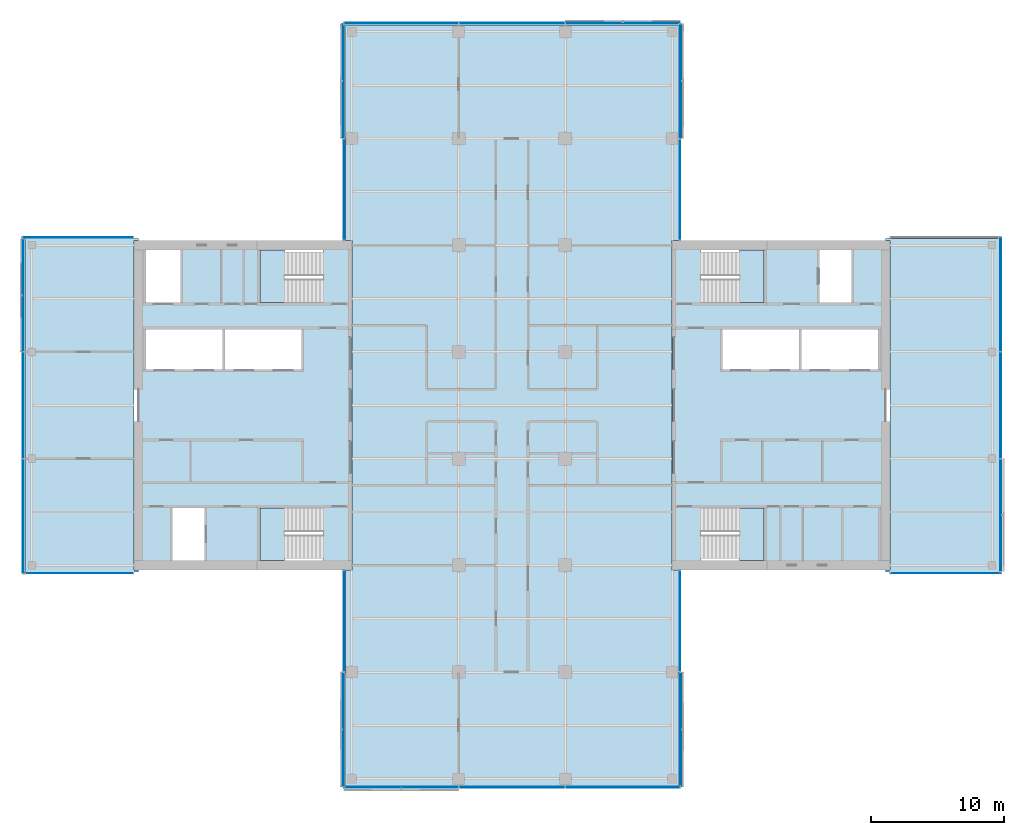
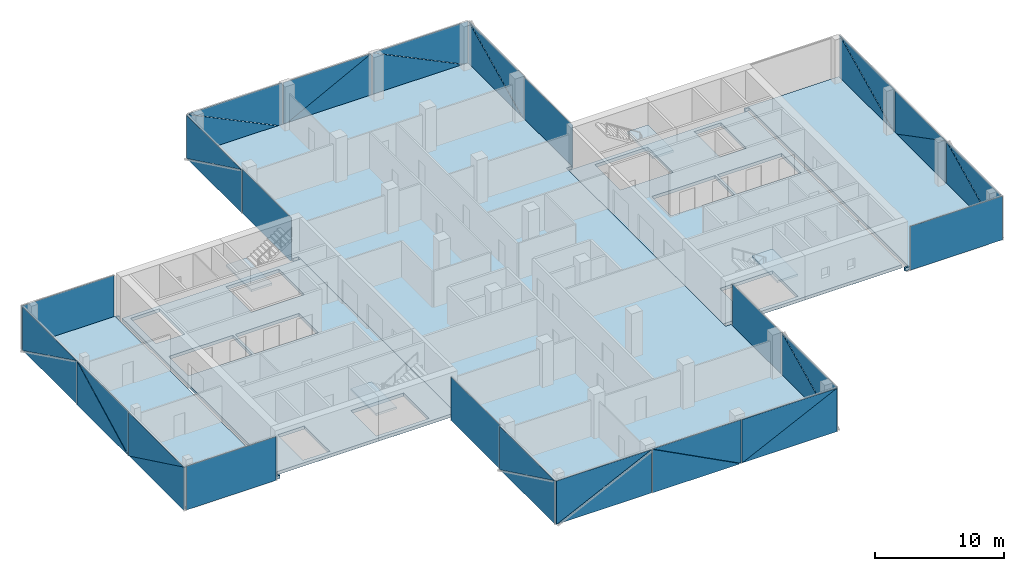
# One storey, part 12 of 22: 39 plates, 9 slabs, 19 elements without a shape of their own.
"""IFC4 building model written with IfcOpenShell, lengths in metres."""

from ifc_helpers import new_model, si_unit, direction, frame, origin, place, context, subcontext, project, spatial, polyline, outline, extrude, material, layer, layer_set, type_object, element, aggregate, save


model = new_model("IFC4")

# Units and contexts
model_context = context("Model", 3, precision=1e-05, world=origin(), true_north=direction((0.0, 1.0)))
body_context = subcontext(model_context, "Body", "Model", "MODEL_VIEW")
ifc_project = project(units=[si_unit("LENGTHUNIT", "METRE"), si_unit("AREAUNIT", "SQUARE_METRE"), si_unit("VOLUMEUNIT", "CUBIC_METRE"), si_unit("PLANEANGLEUNIT", "RADIAN"), si_unit("MASSUNIT", "GRAM", prefix="KILO")], contexts=[model_context])

# Site, building, storey
site_placement = place(None, origin())
site = spatial("IfcSite", under=ifc_project, at=site_placement, CompositionType="ELEMENT")
building_placement = place(site_placement, origin())
building = spatial("IfcBuilding", under=site, at=building_placement, Name="Crosswind Convention Tower", CompositionType="ELEMENT")
storey_placement = place(building_placement, frame((0.0, 0.0, 163.10009765625)))
storey = spatial("IfcBuildingStorey", under=building, at=storey_placement, Name="L34", CompositionType="ELEMENT", Elevation=163.10009765625)

# Slabs
ifc_material_1 = material(Name="Concrete C40/50", Category="concrete")
ifc_layer_1 = layer(ifc_material_1, 0.300048828125)
ifc_layer_set_1 = layer_set([ifc_layer_1], Name="Concrete C40/50")
slab_type_1 = type_object("IfcSlabType", Name="Composite floor slab 300", PredefinedType="FLOOR", material=ifc_layer_set_1)
slab_1_placement = place(storey_placement, frame((0.0, 0.0, -0.300048828125)))
element("IfcSlab", 1, at=slab_1_placement, inside=storey, type_object=slab_type_1, Name="Floor slab L34 part 1", PredefinedType="FLOOR", context=body_context, shape_type="SweptSolid", body=[
    extrude(outline(polyline([(97.0, 87.5), (89.0, 87.5), (88.5, 87.5), (88.5, 88.0), (88.5, 112.0), (88.5, 112.5), (89.0, 112.5), (97.0, 112.5), (97.0, 112.35009765625), (96.64990234375, 112.35009765625), (96.64990234375, 87.64990234375), (97.0, 87.64990234375), (97.0, 87.5)])), origin(), (0.0, 0.0, 1.0), 0.300048828125),
])
slab_2_placement = place(storey_placement, frame((0.0, 0.0, -0.300048828125)))
element("IfcSlab", 2, at=slab_2_placement, inside=storey, type_object=slab_type_1, Name="Floor slab L34 part 2", PredefinedType="FLOOR", context=body_context, shape_type="SweptSolid", body=[
    extrude(outline(polyline([(112.5, 87.64990234375), (113.0, 87.64990234375), (113.0, 112.35009765625), (112.5, 112.35009765625), (112.5, 128.0), (112.5, 128.5), (113.0, 128.5), (137.0, 128.5), (137.5, 128.5), (137.5, 128.0), (137.5, 112.35009765625), (137.0, 112.35009765625), (137.0, 87.64990234375), (137.5, 87.64990234375), (137.5, 72.0), (137.5, 71.5), (137.0, 71.5), (113.0, 71.5), (112.5, 71.5), (112.5, 72.0), (112.5, 87.64990234375)])), origin(), (0.0, 0.0, 1.0), 0.300048828125),
])
slab_3_placement = place(storey_placement, frame((0.0, 0.0, -0.300048828125)))
element("IfcSlab", 3, at=slab_3_placement, inside=storey, type_object=slab_type_1, Name="Floor slab L34 part 3", PredefinedType="FLOOR", context=body_context, shape_type="SweptSolid", body=[
    extrude(outline(polyline([(153.0, 112.5), (161.0, 112.5), (161.5, 112.5), (161.5, 112.0), (161.5, 88.0), (161.5, 87.5), (161.0, 87.5), (153.0, 87.5), (153.0, 87.64990234375), (153.35009765625, 87.64990234375), (153.35009765625, 112.35009765625), (153.0, 112.35009765625), (153.0, 112.5)])), origin(), (0.0, 0.0, 1.0), 0.300048828125),
])
ifc_layer_2 = layer(ifc_material_1, 0.300048828125)
ifc_layer_set_2 = layer_set([ifc_layer_2], Name="Concrete C40/50")
slab_type_2 = type_object("IfcSlabType", Name="Concrete core floor slab 300", PredefinedType="FLOOR", material=ifc_layer_set_2)
slab_4_placement = place(storey_placement, frame((0.0, 0.0, -0.300048828125)))
element("IfcSlab", 4, at=slab_4_placement, inside=storey, type_object=slab_type_2, Name="Core floor slab E L34", PredefinedType="FLOOR", context=body_context, shape_type="SweptSolid", body=[
    extrude(outline(polyline([(137.0, 88.0), (153.0, 88.0), (153.0, 112.0), (137.0, 112.0), (137.0, 88.0)]), holes=[polyline([(146.5, 102.699951171875), (146.5, 105.699951171875), (140.800048828125, 105.699951171875), (140.800048828125, 102.699951171875), (146.5, 102.699951171875)]), polyline([(152.449951171875, 102.699951171875), (152.449951171875, 105.699951171875), (146.699951171875, 105.699951171875), (146.699951171875, 102.699951171875), (152.449951171875, 102.699951171875)]), polyline([(150.449951171875, 107.699951171875), (150.449951171875, 111.64990234375), (148.050048828125, 111.64990234375), (148.050048828125, 107.699951171875), (150.449951171875, 107.699951171875)]), polyline([(143.89990234375, 107.699951171875), (143.89990234375, 111.64990234375), (139.14990234375, 111.64990234375), (139.14990234375, 107.699951171875), (143.89990234375, 107.699951171875)]), polyline([(143.89990234375, 88.35009765625), (143.89990234375, 92.300048828125), (139.14990234375, 92.300048828125), (139.14990234375, 88.35009765625), (143.89990234375, 88.35009765625)])]), origin(), (0.0, 0.0, 1.0), 0.300048828125),
])
slab_5_placement = place(storey_placement, frame((0.0, 0.0, -0.300048828125)))
element("IfcSlab", 5, at=slab_5_placement, inside=storey, type_object=slab_type_2, Name="Core floor slab W L34", PredefinedType="FLOOR", context=body_context, shape_type="SweptSolid", body=[
    extrude(outline(polyline([(97.0, 88.0), (113.0, 88.0), (113.0, 112.0), (97.0, 112.0), (97.0, 88.0)]), holes=[polyline([(109.199951171875, 102.699951171875), (109.199951171875, 105.699951171875), (103.5, 105.699951171875), (103.5, 102.699951171875), (109.199951171875, 102.699951171875)]), polyline([(103.300048828125, 102.699951171875), (103.300048828125, 105.699951171875), (97.550048828125, 105.699951171875), (97.550048828125, 102.699951171875), (103.300048828125, 102.699951171875)]), polyline([(101.949951171875, 88.35009765625), (101.949951171875, 92.300048828125), (99.550048828125, 92.300048828125), (99.550048828125, 88.35009765625), (101.949951171875, 88.35009765625)]), polyline([(100.14990234375, 107.699951171875), (100.14990234375, 111.64990234375), (97.550048828125, 111.64990234375), (97.550048828125, 107.699951171875), (100.14990234375, 107.699951171875)]), polyline([(110.85009765625, 88.35009765625), (110.85009765625, 92.300048828125), (106.10009765625, 92.300048828125), (106.10009765625, 88.35009765625), (110.85009765625, 88.35009765625)]), polyline([(110.85009765625, 107.699951171875), (110.85009765625, 111.64990234375), (106.10009765625, 111.64990234375), (106.10009765625, 107.699951171875), (110.85009765625, 107.699951171875)])]), origin(), (0.0, 0.0, 1.0), 0.300048828125),
])

# Stair, slab
stair_type = type_object("IfcStairType", Name="Exit stair 1800 wide, 2 flights of 11 risers", PredefinedType="HALF_TURN_STAIR", material=ifc_material_1)
stair_1_placement = place(storey_placement, origin())
stair_1 = element("IfcStair", 6, at=stair_1_placement, inside=storey, type_object=stair_type, Name="Exit stair ST1 L34", ObjectType="ST5", PredefinedType="HALF_TURN_STAIR")
ifc_layer_3 = layer(ifc_material_1, 0.199951171875)
ifc_layer_set_3 = layer_set([ifc_layer_3], Name="Concrete C40/50")
slab_type_3 = type_object("IfcSlabType", Name="Stair landing 200", PredefinedType="LANDING", material=ifc_layer_set_3)
slab_6_placement = place(storey_placement, frame((0.0, 0.0, 1.89990234375)))
slab_6 = element("IfcSlab", 7, at=slab_6_placement, type_object=slab_type_3, Name="ST1 landing 1", PredefinedType="LANDING", context=body_context, shape_type="SweptSolid", body=[
    extrude(outline(polyline([(143.89990234375, 107.699951171875), (143.89990234375, 111.64990234375), (142.050048828125, 111.64990234375), (142.050048828125, 107.699951171875), (143.89990234375, 107.699951171875)])), origin(), (0.0, 0.0, 1.0), 0.199951171875),
])
aggregate(stair_1, [slab_6])

stair_2_placement = place(storey_placement, origin())
stair_2 = element("IfcStair", 8, at=stair_2_placement, inside=storey, type_object=stair_type, Name="Exit stair ST2 L34", ObjectType="ST5", PredefinedType="HALF_TURN_STAIR")
slab_7_placement = place(storey_placement, frame((0.0, 0.0, 1.89990234375)))
slab_7 = element("IfcSlab", 9, at=slab_7_placement, type_object=slab_type_3, Name="ST2 landing 1", PredefinedType="LANDING", context=body_context, shape_type="SweptSolid", body=[
    extrude(outline(polyline([(143.89990234375, 88.35009765625), (143.89990234375, 92.300048828125), (142.050048828125, 92.300048828125), (142.050048828125, 88.35009765625), (143.89990234375, 88.35009765625)])), origin(), (0.0, 0.0, 1.0), 0.199951171875),
])
aggregate(stair_2, [slab_7])

stair_3_placement = place(storey_placement, origin())
stair_3 = element("IfcStair", 10, at=stair_3_placement, inside=storey, type_object=stair_type, Name="Exit stair ST3 L34", ObjectType="ST5", PredefinedType="HALF_TURN_STAIR")
slab_8_placement = place(storey_placement, frame((0.0, 0.0, 1.89990234375)))
slab_8 = element("IfcSlab", 11, at=slab_8_placement, type_object=slab_type_3, Name="ST3 landing 1", PredefinedType="LANDING", context=body_context, shape_type="SweptSolid", body=[
    extrude(outline(polyline([(107.949951171875, 88.35009765625), (107.949951171875, 92.300048828125), (106.10009765625, 92.300048828125), (106.10009765625, 88.35009765625), (107.949951171875, 88.35009765625)])), origin(), (0.0, 0.0, 1.0), 0.199951171875),
])
aggregate(stair_3, [slab_8])

stair_4_placement = place(storey_placement, origin())
stair_4 = element("IfcStair", 12, at=stair_4_placement, inside=storey, type_object=stair_type, Name="Exit stair ST4 L34", ObjectType="ST5", PredefinedType="HALF_TURN_STAIR")
slab_9_placement = place(storey_placement, frame((0.0, 0.0, 1.89990234375)))
slab_9 = element("IfcSlab", 13, at=slab_9_placement, type_object=slab_type_3, Name="ST4 landing 1", PredefinedType="LANDING", context=body_context, shape_type="SweptSolid", body=[
    extrude(outline(polyline([(107.949951171875, 107.699951171875), (107.949951171875, 111.64990234375), (106.10009765625, 111.64990234375), (106.10009765625, 107.699951171875), (107.949951171875, 107.699951171875)])), origin(), (0.0, 0.0, 1.0), 0.199951171875),
])
aggregate(stair_4, [slab_9])

# Curtain wall, plate
ifc_material_2 = material(Name="Aluminium unitised curtain wall", Category="aluminium")
curtain_wall_type_1 = type_object("IfcCurtainWallType", Name="CORE END SLOT WALL 160", PredefinedType="USERDEFINED", material=ifc_material_2)
curtain_wall_1_placement = place(storey_placement, origin())
curtain_wall_1 = element("IfcCurtainWall", 14, at=curtain_wall_1_placement, inside=storey, type_object=curtain_wall_type_1, Name="CW6 L34 N-E.1-1 slot", ObjectType="UNITISED", PredefinedType="USERDEFINED")
ifc_material_3 = material(Name="Laminated insulating glass unit", Category="glass")
ifc_layer_4 = layer(ifc_material_3, 0.02587890625)
ifc_layer_set_4 = layer_set([ifc_layer_4], Name="TRIANGULAR GLASS PANEL 26")
plate_type_1 = type_object("IfcPlateType", Name="TRIANGULAR GLASS PANEL 26", PredefinedType="CURTAIN_PANEL", material=ifc_layer_set_4)
plate_1_placement = place(storey_placement, frame((137.60693359375, 112.39990234375, -0.300048828125), z_axis=(0.999999915205, 0.0, 0.00041181312), x_axis=(0.0, 1.0, 0.0)))
plate_1 = element("IfcPlate", 15, at=plate_1_placement, type_object=plate_type_1, Name="CW6 panel 1.1", PredefinedType="CURTAIN_PANEL", context=body_context, shape_type="SweptSolid", body=[
    extrude(outline(polyline([(0.0, 0.0), (7.550048828125, 0.0), (7.550048828125, 4.149902695641108), (0.0, 4.149902695641108), (0.0, 0.0)])), origin(), (0.0, 0.0, -1.0), 0.02587890625),
])
aggregate(curtain_wall_1, [plate_1])

curtain_wall_2_placement = place(storey_placement, origin())
curtain_wall_2 = element("IfcCurtainWall", 16, at=curtain_wall_2_placement, inside=storey, type_object=curtain_wall_type_1, Name="CW6 L34 N-W.1-2 slot", ObjectType="UNITISED", PredefinedType="USERDEFINED")
plate_2_placement = place(storey_placement, frame((112.39306640625, 119.949951171875, -0.300048828125), z_axis=(-0.999999915205, 0.0, 0.00041181312), x_axis=(0.0, -1.0, 0.0)))
plate_2 = element("IfcPlate", 17, at=plate_2_placement, type_object=plate_type_1, Name="CW6 panel 1.1", PredefinedType="CURTAIN_PANEL", context=body_context, shape_type="SweptSolid", body=[
    extrude(outline(polyline([(0.0, 0.0), (7.550048828125, 0.0), (7.550048828125, 4.149902695641108), (0.0, 4.149902695641108), (0.0, 0.0)])), origin(), (0.0, 0.0, -1.0), 0.02587890625),
])
aggregate(curtain_wall_2, [plate_2])

curtain_wall_3_placement = place(storey_placement, origin())
curtain_wall_3 = element("IfcCurtainWall", 18, at=curtain_wall_3_placement, inside=storey, type_object=curtain_wall_type_1, Name="CW6 L34 W-N.2-1 slot", ObjectType="UNITISED", PredefinedType="USERDEFINED")
plate_3_placement = place(storey_placement, frame((96.60009765625, 112.60693359375, -0.300048828125), z_axis=(0.0, 0.999999915205, 0.00041181312), x_axis=(-1.0, 0.0, 0.0)))
plate_3 = element("IfcPlate", 19, at=plate_3_placement, type_object=plate_type_1, Name="CW6 panel 1.1", PredefinedType="CURTAIN_PANEL", context=body_context, shape_type="SweptSolid", body=[
    extrude(outline(polyline([(0.0, 0.0), (8.27001953125, 0.0), (8.27001953125, 4.149902695641109), (0.0, 4.149902695641109), (0.0, 0.0)])), origin(), (0.0, 0.0, -1.0), 0.02587890625),
])
aggregate(curtain_wall_3, [plate_3])

curtain_wall_4_placement = place(storey_placement, origin())
curtain_wall_4 = element("IfcCurtainWall", 20, at=curtain_wall_4_placement, inside=storey, type_object=curtain_wall_type_1, Name="CW6 L34 W-S.1-1 slot", ObjectType="UNITISED", PredefinedType="USERDEFINED")
plate_4_placement = place(storey_placement, frame((88.550048828125, 87.39306640625, -0.300048828125), z_axis=(0.0, -0.999999915205, 0.00041181312), x_axis=(1.0, 0.0, 0.0)))
plate_4 = element("IfcPlate", 21, at=plate_4_placement, type_object=plate_type_1, Name="CW6 panel 1.1", PredefinedType="CURTAIN_PANEL", context=body_context, shape_type="SweptSolid", body=[
    extrude(outline(polyline([(0.0, 0.0), (8.050048828125, 0.0), (8.050048828125, 4.149902695641108), (0.0, 4.149902695641108), (0.0, 0.0)])), origin(), (0.0, 0.0, -1.0), 0.02587890625),
])
aggregate(curtain_wall_4, [plate_4])

curtain_wall_5_placement = place(storey_placement, origin())
curtain_wall_5 = element("IfcCurtainWall", 22, at=curtain_wall_5_placement, inside=storey, type_object=curtain_wall_type_1, Name="CW6 L34 S-W.1-1 slot", ObjectType="UNITISED", PredefinedType="USERDEFINED")
plate_5_placement = place(storey_placement, frame((112.39306640625, 87.60009765625, -0.300048828125), z_axis=(-0.999999915205, 0.0, 0.00041181312), x_axis=(0.0, -1.0, 0.0)))
plate_5 = element("IfcPlate", 23, at=plate_5_placement, type_object=plate_type_1, Name="CW6 panel 1.1", PredefinedType="CURTAIN_PANEL", context=body_context, shape_type="SweptSolid", body=[
    extrude(outline(polyline([(0.0, 0.0), (7.550048828125, 0.0), (7.550048828125, 4.149902695641108), (0.0, 4.149902695641108), (0.0, 0.0)])), origin(), (0.0, 0.0, -1.0), 0.02587890625),
])
aggregate(curtain_wall_5, [plate_5])

curtain_wall_6_placement = place(storey_placement, origin())
curtain_wall_6 = element("IfcCurtainWall", 24, at=curtain_wall_6_placement, inside=storey, type_object=curtain_wall_type_1, Name="CW6 L34 S-E.1-2 slot", ObjectType="UNITISED", PredefinedType="USERDEFINED")
plate_6_placement = place(storey_placement, frame((137.60693359375, 80.050048828125, -0.300048828125), z_axis=(0.999999915205, 0.0, 0.00041181312), x_axis=(0.0, 1.0, 0.0)))
plate_6 = element("IfcPlate", 25, at=plate_6_placement, type_object=plate_type_1, Name="CW6 panel 1.1", PredefinedType="CURTAIN_PANEL", context=body_context, shape_type="SweptSolid", body=[
    extrude(outline(polyline([(0.0, 0.0), (7.550048828125, 0.0), (7.550048828125, 4.149902695641108), (0.0, 4.149902695641108), (0.0, 0.0)])), origin(), (0.0, 0.0, -1.0), 0.02587890625),
])
aggregate(curtain_wall_6, [plate_6])

curtain_wall_7_placement = place(storey_placement, origin())
curtain_wall_7 = element("IfcCurtainWall", 26, at=curtain_wall_7_placement, inside=storey, type_object=curtain_wall_type_1, Name="CW6 L34 E-S.2-1 slot", ObjectType="UNITISED", PredefinedType="USERDEFINED")
plate_7_placement = place(storey_placement, frame((153.39990234375, 87.39306640625, -0.300048828125), z_axis=(0.0, -0.999999915205, 0.00041181312), x_axis=(1.0, 0.0, 0.0)))
plate_7 = element("IfcPlate", 27, at=plate_7_placement, type_object=plate_type_1, Name="CW6 panel 1.1", PredefinedType="CURTAIN_PANEL", context=body_context, shape_type="SweptSolid", body=[
    extrude(outline(polyline([(0.0, 0.0), (8.27001953125, 0.0), (8.27001953125, 4.149902695641109), (0.0, 4.149902695641109), (0.0, 0.0)])), origin(), (0.0, 0.0, -1.0), 0.02587890625),
])
aggregate(curtain_wall_7, [plate_7])

# Curtain wall, plates
curtain_wall_type_2 = type_object("IfcCurtainWallType", Name="OFFICE UNITISED WALL 220", PredefinedType="USERDEFINED", material=ifc_material_2)
curtain_wall_8_placement = place(storey_placement, origin())
curtain_wall_8 = element("IfcCurtainWall", 28, at=curtain_wall_8_placement, inside=storey, type_object=curtain_wall_type_2, Name="CW3 L34 E-TIP 1", ObjectType="UNITISED", PredefinedType="USERDEFINED")
ifc_layer_5 = layer(ifc_material_3, 0.031982421875)
ifc_layer_set_5 = layer_set([ifc_layer_5], Name="TRIANGULAR GLASS PANEL 32")
plate_type_2 = type_object("IfcPlateType", Name="TRIANGULAR GLASS PANEL 32", PredefinedType="CURTAIN_PANEL", material=ifc_layer_set_5)
plate_8_placement = place(storey_placement, frame((161.642822265625, 95.965087890625, -0.300048828125), z_axis=(0.999999913924, 0.0, 0.000414913129), x_axis=(-0.000414913129, 0.0, 0.999999913924)))
plate_8 = element("IfcPlate", 29, at=plate_8_placement, type_object=plate_type_2, Name="CW3 panel 1.1", PredefinedType="CURTAIN_PANEL", context=body_context, shape_type="SweptSolid", body=[
    extrude(outline(polyline([(0.0, 0.0), (4.118896838915043, 0.0), (0.0, 8.372314453125), (0.0, 0.0)])), origin(), (0.0, 0.0, -1.0), 0.031982421875),
])
plate_9_placement = place(storey_placement, frame((161.67529296875, 87.570068359375, 3.829833984375), z_axis=(0.99999993676, 0.0, 0.000355639833), x_axis=(0.000355639833, 0.0, -0.99999993676)))
plate_9 = element("IfcPlate", 30, at=plate_9_placement, type_object=plate_type_2, Name="CW3 panel 1.2", PredefinedType="CURTAIN_PANEL", context=body_context, shape_type="SweptSolid", body=[
    extrude(outline(polyline([(0.0, 0.0), (4.1188967448534015, 0.0), (0.0, 8.372314453125), (0.0, 0.0)])), origin(), (0.0, 0.0, -1.0), 0.031982421875),
])
plate_10_placement = place(storey_placement, frame((161.64111328125, 103.965087890625, 3.829833984375), z_axis=(0.999999913913, 0.0, 0.000414937724), x_axis=(0.0, -1.0, 0.0)))
plate_10 = element("IfcPlate", 31, at=plate_10_placement, type_object=plate_type_2, Name="CW3 panel 2.1", PredefinedType="CURTAIN_PANEL", context=body_context, shape_type="SweptSolid", body=[
    extrude(outline(polyline([(0.0, 0.0), (7.908447265625, 0.0), (0.0, 4.118652698311059), (0.0, 0.0)])), origin(), (0.0, 0.0, -1.0), 0.031982421875),
])
plate_11_placement = place(storey_placement, frame((161.6767578125, 96.034912109375, -0.300048828125), z_axis=(0.999999936753, 0.0, 0.000355660914), x_axis=(0.0, 1.0, 0.0)))
plate_11 = element("IfcPlate", 32, at=plate_11_placement, type_object=plate_type_2, Name="CW3 panel 2.2", PredefinedType="CURTAIN_PANEL", context=body_context, shape_type="SweptSolid", body=[
    extrude(outline(polyline([(0.0, 0.0), (7.908447265625, 0.0), (0.0, 4.118652604243842), (0.0, 0.0)])), origin(), (0.0, 0.0, -1.0), 0.031982421875),
])
plate_12_placement = place(storey_placement, frame((161.642822265625, 112.590087890625, -0.300048828125), z_axis=(0.999999913924, 0.0, 0.000414913129), x_axis=(-0.000414913129, 0.0, 0.999999913924)))
plate_12 = element("IfcPlate", 33, at=plate_12_placement, type_object=plate_type_2, Name="CW3 panel 3.1", PredefinedType="CURTAIN_PANEL", context=body_context, shape_type="SweptSolid", body=[
    extrude(outline(polyline([(0.0, 0.0), (4.118896838915043, 0.0), (0.0, 8.531982421874998), (0.0, 0.0)])), origin(), (0.0, 0.0, -1.0), 0.031982421875),
])
plate_13_placement = place(storey_placement, frame((161.67529296875, 104.034912109375, 3.829833984375), z_axis=(0.99999993676, 0.0, 0.000355639833), x_axis=(0.000355639833, 0.0, -0.99999993676)))
plate_13 = element("IfcPlate", 34, at=plate_13_placement, type_object=plate_type_2, Name="CW3 panel 3.2", PredefinedType="CURTAIN_PANEL", context=body_context, shape_type="SweptSolid", body=[
    extrude(outline(polyline([(0.0, 0.0), (4.1188967448534015, 0.0), (0.0, 8.531982421875), (0.0, 0.0)])), origin(), (0.0, 0.0, -1.0), 0.031982421875),
])
aggregate(curtain_wall_8, [plate_8, plate_9, plate_10, plate_11, plate_12, plate_13])

curtain_wall_9_placement = place(storey_placement, origin())
curtain_wall_9 = element("IfcCurtainWall", 35, at=curtain_wall_9_placement, inside=storey, type_object=curtain_wall_type_2, Name="CW3 L34 N-E 1", ObjectType="UNITISED", PredefinedType="USERDEFINED")
plate_14_placement = place(storey_placement, frame((137.642822265625, 128.574951171875, -0.300048828125), z_axis=(0.999999913924, 0.0, 0.000414913129), x_axis=(-0.000414913129, 0.0, 0.999999913924)))
plate_14 = element("IfcPlate", 36, at=plate_14_placement, type_object=plate_type_2, Name="CW3 panel 1.1", PredefinedType="CURTAIN_PANEL", context=body_context, shape_type="SweptSolid", body=[
    extrude(outline(polyline([(0.0, 0.0), (4.118896838915043, 0.0), (0.0, 8.517089843749998), (0.0, 0.0)])), origin(), (0.0, 0.0, -1.0), 0.031982421875),
])
plate_15_placement = place(storey_placement, frame((137.67529296875, 120.034912109375, 3.829833984375), z_axis=(0.99999993676, 0.0, 0.000355639833), x_axis=(0.000355639833, 0.0, -0.99999993676)))
plate_15 = element("IfcPlate", 37, at=plate_15_placement, type_object=plate_type_2, Name="CW3 panel 1.2", PredefinedType="CURTAIN_PANEL", context=body_context, shape_type="SweptSolid", body=[
    extrude(outline(polyline([(0.0, 0.0), (4.1188967448534015, 0.0), (0.0, 8.51708984375), (0.0, 0.0)])), origin(), (0.0, 0.0, -1.0), 0.031982421875),
])
aggregate(curtain_wall_9, [plate_14, plate_15])

curtain_wall_10_placement = place(storey_placement, origin())
curtain_wall_10 = element("IfcCurtainWall", 38, at=curtain_wall_10_placement, inside=storey, type_object=curtain_wall_type_2, Name="CW3 L34 N-TIP 1", ObjectType="UNITISED", PredefinedType="USERDEFINED")
plate_16_placement = place(storey_placement, frame((129.034912109375, 128.642822265625, -0.300048828125), z_axis=(0.0, 0.999999913924, 0.000414913129), x_axis=(0.0, -0.000414913129, 0.999999913924)))
plate_16 = element("IfcPlate", 39, at=plate_16_placement, type_object=plate_type_2, Name="CW3 panel 1.1", PredefinedType="CURTAIN_PANEL", context=body_context, shape_type="SweptSolid", body=[
    extrude(outline(polyline([(0.0, 0.0), (4.118896838915043, 0.0), (0.0, 8.517089843749998), (0.0, 0.0)])), origin(), (0.0, 0.0, -1.0), 0.031982421875),
])
plate_17_placement = place(storey_placement, frame((137.574951171875, 128.67529296875, 3.829833984375), z_axis=(0.0, 0.99999993676, 0.000355639833), x_axis=(0.0, 0.000355639833, -0.99999993676)))
plate_17 = element("IfcPlate", 40, at=plate_17_placement, type_object=plate_type_2, Name="CW3 panel 1.2", PredefinedType="CURTAIN_PANEL", context=body_context, shape_type="SweptSolid", body=[
    extrude(outline(polyline([(0.0, 0.0), (4.1188967448534015, 0.0), (0.0, 8.51708984375), (0.0, 0.0)])), origin(), (0.0, 0.0, -1.0), 0.031982421875),
])
plate_18_placement = place(storey_placement, frame((121.034912109375, 128.64111328125, 3.829833984375), z_axis=(0.0, 0.999999913913, 0.000414937724), x_axis=(1.0, 0.0, 0.0)))
plate_18 = element("IfcPlate", 41, at=plate_18_placement, type_object=plate_type_2, Name="CW3 panel 2.1", PredefinedType="CURTAIN_PANEL", context=body_context, shape_type="SweptSolid", body=[
    extrude(outline(polyline([(0.0, 0.0), (7.908447265625, 0.0), (0.0, 4.118652698311059), (0.0, 0.0)])), origin(), (0.0, 0.0, -1.0), 0.031982421875),
])
plate_19_placement = place(storey_placement, frame((128.965087890625, 128.6767578125, -0.300048828125), z_axis=(0.0, 0.999999936753, 0.000355660914), x_axis=(-1.0, 0.0, 0.0)))
plate_19 = element("IfcPlate", 42, at=plate_19_placement, type_object=plate_type_2, Name="CW3 panel 2.2", PredefinedType="CURTAIN_PANEL", context=body_context, shape_type="SweptSolid", body=[
    extrude(outline(polyline([(0.0, 0.0), (7.908447265625, 0.0), (0.0, 4.118652604243842), (0.0, 0.0)])), origin(), (0.0, 0.0, -1.0), 0.031982421875),
])
plate_20_placement = place(storey_placement, frame((112.425048828125, 128.642822265625, -0.300048828125), z_axis=(0.0, 0.999999913924, 0.000414913129), x_axis=(0.0, -0.000414913129, 0.999999913924)))
plate_20 = element("IfcPlate", 43, at=plate_20_placement, type_object=plate_type_2, Name="CW3 panel 3.1", PredefinedType="CURTAIN_PANEL", context=body_context, shape_type="SweptSolid", body=[
    extrude(outline(polyline([(0.0, 0.0), (4.118896838915043, 0.0), (0.0, 8.517089843749998), (0.0, 0.0)])), origin(), (0.0, 0.0, -1.0), 0.031982421875),
])
plate_21_placement = place(storey_placement, frame((120.965087890625, 128.67529296875, 3.829833984375), z_axis=(0.0, 0.99999993676, 0.000355639833), x_axis=(0.0, 0.000355639833, -0.99999993676)))
plate_21 = element("IfcPlate", 44, at=plate_21_placement, type_object=plate_type_2, Name="CW3 panel 3.2", PredefinedType="CURTAIN_PANEL", context=body_context, shape_type="SweptSolid", body=[
    extrude(outline(polyline([(0.0, 0.0), (4.1188967448534015, 0.0), (0.0, 8.51708984375), (0.0, 0.0)])), origin(), (0.0, 0.0, -1.0), 0.031982421875),
])
aggregate(curtain_wall_10, [plate_16, plate_17, plate_18, plate_19, plate_20, plate_21])

curtain_wall_11_placement = place(storey_placement, origin())
curtain_wall_11 = element("IfcCurtainWall", 45, at=curtain_wall_11_placement, inside=storey, type_object=curtain_wall_type_2, Name="CW3 L34 N-W 1", ObjectType="UNITISED", PredefinedType="USERDEFINED")
plate_22_placement = place(storey_placement, frame((112.357177734375, 120.034912109375, -0.300048828125), z_axis=(-0.999999913924, 0.0, 0.000414913129), x_axis=(0.000414913129, 0.0, 0.999999913924)))
plate_22 = element("IfcPlate", 46, at=plate_22_placement, type_object=plate_type_2, Name="CW3 panel 1.1", PredefinedType="CURTAIN_PANEL", context=body_context, shape_type="SweptSolid", body=[
    extrude(outline(polyline([(0.0, 0.0), (4.118896838915043, 0.0), (0.0, 8.517089843749998), (0.0, 0.0)])), origin(), (0.0, 0.0, -1.0), 0.031982421875),
])
plate_23_placement = place(storey_placement, frame((112.32470703125, 128.574951171875, 3.829833984375), z_axis=(-0.99999993676, 0.0, 0.000355639833), x_axis=(-0.000355639833, 0.0, -0.99999993676)))
plate_23 = element("IfcPlate", 47, at=plate_23_placement, type_object=plate_type_2, Name="CW3 panel 1.2", PredefinedType="CURTAIN_PANEL", context=body_context, shape_type="SweptSolid", body=[
    extrude(outline(polyline([(0.0, 0.0), (4.1188967448534015, 0.0), (0.0, 8.51708984375), (0.0, 0.0)])), origin(), (0.0, 0.0, -1.0), 0.031982421875),
])
aggregate(curtain_wall_11, [plate_22, plate_23])

curtain_wall_12_placement = place(storey_placement, origin())
curtain_wall_12 = element("IfcCurtainWall", 48, at=curtain_wall_12_placement, inside=storey, type_object=curtain_wall_type_2, Name="CW3 L34 W-TIP 1", ObjectType="UNITISED", PredefinedType="USERDEFINED")
plate_24_placement = place(storey_placement, frame((88.357177734375, 104.034912109375, -0.300048828125), z_axis=(-0.999999913924, 0.0, 0.000414913129), x_axis=(0.000414913129, 0.0, 0.999999913924)))
plate_24 = element("IfcPlate", 49, at=plate_24_placement, type_object=plate_type_2, Name="CW3 panel 1.1", PredefinedType="CURTAIN_PANEL", context=body_context, shape_type="SweptSolid", body=[
    extrude(outline(polyline([(0.0, 0.0), (4.118896838915043, 0.0), (0.0, 8.372314453125), (0.0, 0.0)])), origin(), (0.0, 0.0, -1.0), 0.031982421875),
])
plate_25_placement = place(storey_placement, frame((88.32470703125, 112.429931640625, 3.829833984375), z_axis=(-0.99999993676, 0.0, 0.000355639833), x_axis=(-0.000355639833, 0.0, -0.99999993676)))
plate_25 = element("IfcPlate", 50, at=plate_25_placement, type_object=plate_type_2, Name="CW3 panel 1.2", PredefinedType="CURTAIN_PANEL", context=body_context, shape_type="SweptSolid", body=[
    extrude(outline(polyline([(0.0, 0.0), (4.1188967448534015, 0.0), (0.0, 8.372314453125), (0.0, 0.0)])), origin(), (0.0, 0.0, -1.0), 0.031982421875),
])
plate_26_placement = place(storey_placement, frame((88.35888671875, 96.034912109375, 3.829833984375), z_axis=(-0.999999913913, 0.0, 0.000414937724), x_axis=(0.0, 1.0, 0.0)))
plate_26 = element("IfcPlate", 51, at=plate_26_placement, type_object=plate_type_2, Name="CW3 panel 2.1", PredefinedType="CURTAIN_PANEL", context=body_context, shape_type="SweptSolid", body=[
    extrude(outline(polyline([(0.0, 0.0), (7.908447265625, 0.0), (0.0, 4.118652698311059), (0.0, 0.0)])), origin(), (0.0, 0.0, -1.0), 0.031982421875),
])
plate_27_placement = place(storey_placement, frame((88.3232421875, 103.965087890625, -0.300048828125), z_axis=(-0.999999936753, 0.0, 0.000355660914), x_axis=(0.0, -1.0, 0.0)))
plate_27 = element("IfcPlate", 52, at=plate_27_placement, type_object=plate_type_2, Name="CW3 panel 2.2", PredefinedType="CURTAIN_PANEL", context=body_context, shape_type="SweptSolid", body=[
    extrude(outline(polyline([(0.0, 0.0), (7.908447265625, 0.0), (0.0, 4.118652604243842), (0.0, 0.0)])), origin(), (0.0, 0.0, -1.0), 0.031982421875),
])
plate_28_placement = place(storey_placement, frame((88.357177734375, 87.409912109375, -0.300048828125), z_axis=(-0.999999913924, 0.0, 0.000414913129), x_axis=(0.000414913129, 0.0, 0.999999913924)))
plate_28 = element("IfcPlate", 53, at=plate_28_placement, type_object=plate_type_2, Name="CW3 panel 3.1", PredefinedType="CURTAIN_PANEL", context=body_context, shape_type="SweptSolid", body=[
    extrude(outline(polyline([(0.0, 0.0), (4.118896838915043, 0.0), (0.0, 8.531982421874998), (0.0, 0.0)])), origin(), (0.0, 0.0, -1.0), 0.031982421875),
])
plate_29_placement = place(storey_placement, frame((88.32470703125, 95.965087890625, 3.829833984375), z_axis=(-0.99999993676, 0.0, 0.000355639833), x_axis=(-0.000355639833, 0.0, -0.99999993676)))
plate_29 = element("IfcPlate", 54, at=plate_29_placement, type_object=plate_type_2, Name="CW3 panel 3.2", PredefinedType="CURTAIN_PANEL", context=body_context, shape_type="SweptSolid", body=[
    extrude(outline(polyline([(0.0, 0.0), (4.1188967448534015, 0.0), (0.0, 8.531982421875), (0.0, 0.0)])), origin(), (0.0, 0.0, -1.0), 0.031982421875),
])
aggregate(curtain_wall_12, [plate_24, plate_25, plate_26, plate_27, plate_28, plate_29])

curtain_wall_13_placement = place(storey_placement, origin())
curtain_wall_13 = element("IfcCurtainWall", 55, at=curtain_wall_13_placement, inside=storey, type_object=curtain_wall_type_2, Name="CW3 L34 S-W 1", ObjectType="UNITISED", PredefinedType="USERDEFINED")
plate_30_placement = place(storey_placement, frame((112.357177734375, 71.425048828125, -0.300048828125), z_axis=(-0.999999913924, 0.0, 0.000414913129), x_axis=(0.000414913129, 0.0, 0.999999913924)))
plate_30 = element("IfcPlate", 56, at=plate_30_placement, type_object=plate_type_2, Name="CW3 panel 1.1", PredefinedType="CURTAIN_PANEL", context=body_context, shape_type="SweptSolid", body=[
    extrude(outline(polyline([(0.0, 0.0), (4.118896838915043, 0.0), (0.0, 8.517089843749998), (0.0, 0.0)])), origin(), (0.0, 0.0, -1.0), 0.031982421875),
])
plate_31_placement = place(storey_placement, frame((112.32470703125, 79.965087890625, 3.829833984375), z_axis=(-0.99999993676, 0.0, 0.000355639833), x_axis=(-0.000355639833, 0.0, -0.99999993676)))
plate_31 = element("IfcPlate", 57, at=plate_31_placement, type_object=plate_type_2, Name="CW3 panel 1.2", PredefinedType="CURTAIN_PANEL", context=body_context, shape_type="SweptSolid", body=[
    extrude(outline(polyline([(0.0, 0.0), (4.1188967448534015, 0.0), (0.0, 8.51708984375), (0.0, 0.0)])), origin(), (0.0, 0.0, -1.0), 0.031982421875),
])
aggregate(curtain_wall_13, [plate_30, plate_31])

curtain_wall_14_placement = place(storey_placement, origin())
curtain_wall_14 = element("IfcCurtainWall", 58, at=curtain_wall_14_placement, inside=storey, type_object=curtain_wall_type_2, Name="CW3 L34 S-TIP 1", ObjectType="UNITISED", PredefinedType="USERDEFINED")
plate_32_placement = place(storey_placement, frame((120.965087890625, 71.357177734375, -0.300048828125), z_axis=(0.0, -0.999999913924, 0.000414913129), x_axis=(0.0, 0.000414913129, 0.999999913924)))
plate_32 = element("IfcPlate", 59, at=plate_32_placement, type_object=plate_type_2, Name="CW3 panel 1.1", PredefinedType="CURTAIN_PANEL", context=body_context, shape_type="SweptSolid", body=[
    extrude(outline(polyline([(0.0, 0.0), (4.118896838915043, 0.0), (0.0, 8.517089843749998), (0.0, 0.0)])), origin(), (0.0, 0.0, -1.0), 0.031982421875),
])
plate_33_placement = place(storey_placement, frame((112.425048828125, 71.32470703125, 3.829833984375), z_axis=(0.0, -0.99999993676, 0.000355639833), x_axis=(0.0, -0.000355639833, -0.99999993676)))
plate_33 = element("IfcPlate", 60, at=plate_33_placement, type_object=plate_type_2, Name="CW3 panel 1.2", PredefinedType="CURTAIN_PANEL", context=body_context, shape_type="SweptSolid", body=[
    extrude(outline(polyline([(0.0, 0.0), (4.1188967448534015, 0.0), (0.0, 8.51708984375), (0.0, 0.0)])), origin(), (0.0, 0.0, -1.0), 0.031982421875),
])
plate_34_placement = place(storey_placement, frame((128.965087890625, 71.35888671875, 3.829833984375), z_axis=(0.0, -0.999999913913, 0.000414937724), x_axis=(-1.0, 0.0, 0.0)))
plate_34 = element("IfcPlate", 61, at=plate_34_placement, type_object=plate_type_2, Name="CW3 panel 2.1", PredefinedType="CURTAIN_PANEL", context=body_context, shape_type="SweptSolid", body=[
    extrude(outline(polyline([(0.0, 0.0), (7.908447265625, 0.0), (0.0, 4.118652698311059), (0.0, 0.0)])), origin(), (0.0, 0.0, -1.0), 0.031982421875),
])
plate_35_placement = place(storey_placement, frame((121.034912109375, 71.3232421875, -0.300048828125), z_axis=(0.0, -0.999999936753, 0.000355660914), x_axis=(1.0, 0.0, 0.0)))
plate_35 = element("IfcPlate", 62, at=plate_35_placement, type_object=plate_type_2, Name="CW3 panel 2.2", PredefinedType="CURTAIN_PANEL", context=body_context, shape_type="SweptSolid", body=[
    extrude(outline(polyline([(0.0, 0.0), (7.908447265625, 0.0), (0.0, 4.118652604243842), (0.0, 0.0)])), origin(), (0.0, 0.0, -1.0), 0.031982421875),
])
plate_36_placement = place(storey_placement, frame((137.574951171875, 71.357177734375, -0.300048828125), z_axis=(0.0, -0.999999913924, 0.000414913129), x_axis=(0.0, 0.000414913129, 0.999999913924)))
plate_36 = element("IfcPlate", 63, at=plate_36_placement, type_object=plate_type_2, Name="CW3 panel 3.1", PredefinedType="CURTAIN_PANEL", context=body_context, shape_type="SweptSolid", body=[
    extrude(outline(polyline([(0.0, 0.0), (4.118896838915043, 0.0), (0.0, 8.517089843749998), (0.0, 0.0)])), origin(), (0.0, 0.0, -1.0), 0.031982421875),
])
plate_37_placement = place(storey_placement, frame((129.034912109375, 71.32470703125, 3.829833984375), z_axis=(0.0, -0.99999993676, 0.000355639833), x_axis=(0.0, -0.000355639833, -0.99999993676)))
plate_37 = element("IfcPlate", 64, at=plate_37_placement, type_object=plate_type_2, Name="CW3 panel 3.2", PredefinedType="CURTAIN_PANEL", context=body_context, shape_type="SweptSolid", body=[
    extrude(outline(polyline([(0.0, 0.0), (4.1188967448534015, 0.0), (0.0, 8.51708984375), (0.0, 0.0)])), origin(), (0.0, 0.0, -1.0), 0.031982421875),
])
aggregate(curtain_wall_14, [plate_32, plate_33, plate_34, plate_35, plate_36, plate_37])

curtain_wall_15_placement = place(storey_placement, origin())
curtain_wall_15 = element("IfcCurtainWall", 65, at=curtain_wall_15_placement, inside=storey, type_object=curtain_wall_type_2, Name="CW3 L34 S-E 1", ObjectType="UNITISED", PredefinedType="USERDEFINED")
plate_38_placement = place(storey_placement, frame((137.642822265625, 79.965087890625, -0.300048828125), z_axis=(0.999999913924, 0.0, 0.000414913129), x_axis=(-0.000414913129, 0.0, 0.999999913924)))
plate_38 = element("IfcPlate", 66, at=plate_38_placement, type_object=plate_type_2, Name="CW3 panel 1.1", PredefinedType="CURTAIN_PANEL", context=body_context, shape_type="SweptSolid", body=[
    extrude(outline(polyline([(0.0, 0.0), (4.118896838915043, 0.0), (0.0, 8.517089843749998), (0.0, 0.0)])), origin(), (0.0, 0.0, -1.0), 0.031982421875),
])
plate_39_placement = place(storey_placement, frame((137.67529296875, 71.425048828125, 3.829833984375), z_axis=(0.99999993676, 0.0, 0.000355639833), x_axis=(0.000355639833, 0.0, -0.99999993676)))
plate_39 = element("IfcPlate", 67, at=plate_39_placement, type_object=plate_type_2, Name="CW3 panel 1.2", PredefinedType="CURTAIN_PANEL", context=body_context, shape_type="SweptSolid", body=[
    extrude(outline(polyline([(0.0, 0.0), (4.1188967448534015, 0.0), (0.0, 8.51708984375), (0.0, 0.0)])), origin(), (0.0, 0.0, -1.0), 0.031982421875),
])
aggregate(curtain_wall_15, [plate_38, plate_39])

save(model, "model.ifc")
